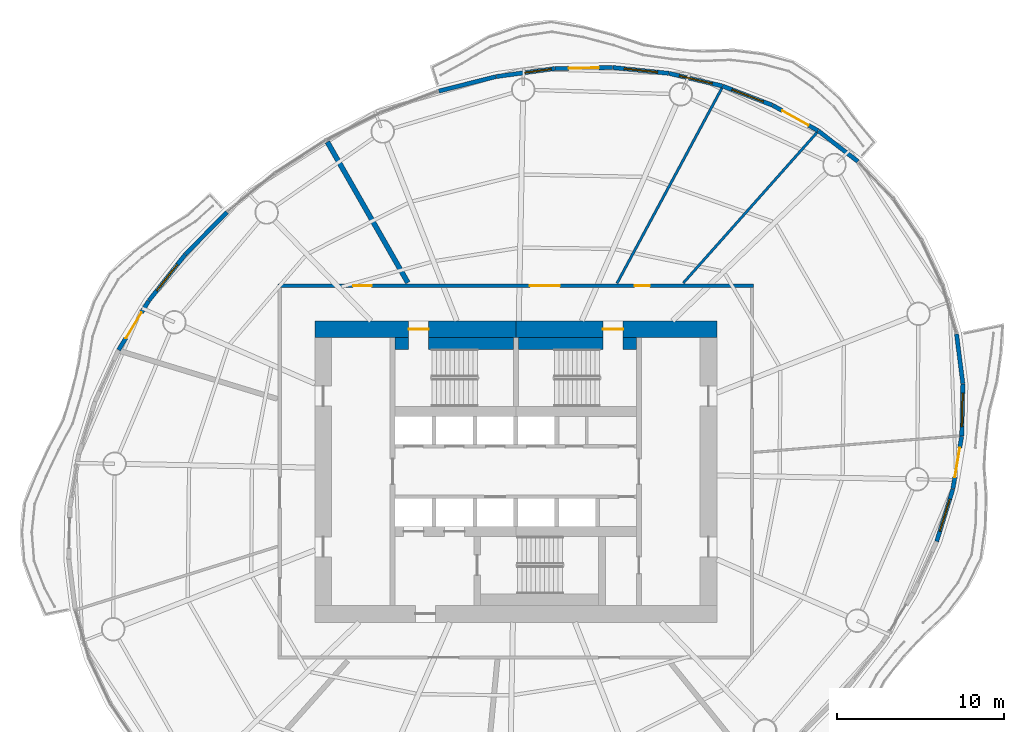
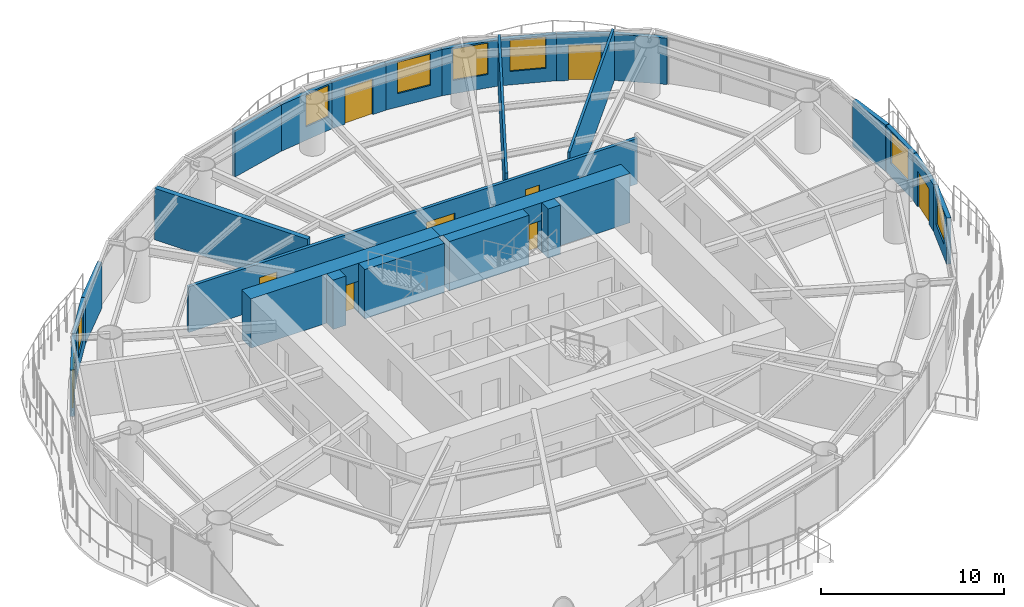
# One storey, part 10 of 15: 25 walls, 9 doors, 7 windows, 16 openings.
"""IFC4 building model written with IfcOpenShell, lengths in metres."""

from ifc_helpers import new_model, si_unit, direction, frame, frame_2d, origin, place, context, subcontext, project, spatial, rectangle, extrude, material, layer, layer_set, type_object, element, fill, save


model = new_model("IFC4")

# Units and contexts
model_context = context("Model", 3, precision=1e-05, world=origin(), true_north=direction((0.0, 1.0)))
body_context = subcontext(model_context, "Body", "Model", "MODEL_VIEW")
ifc_project = project(units=[si_unit("LENGTHUNIT", "METRE"), si_unit("AREAUNIT", "SQUARE_METRE"), si_unit("VOLUMEUNIT", "CUBIC_METRE"), si_unit("PLANEANGLEUNIT", "RADIAN"), si_unit("MASSUNIT", "GRAM", prefix="KILO")], contexts=[model_context])

# Site, building, storey
site_placement = place(None, origin())
site = spatial("IfcSite", under=ifc_project, at=site_placement, CompositionType="ELEMENT")
building_placement = place(site_placement, origin())
building = spatial("IfcBuilding", under=site, at=building_placement, Name="Vermilion Reach Broadcast Tower", CompositionType="ELEMENT")
storey_placement = place(building_placement, frame((0.0, 0.0, 154.199951171875)))
storey = spatial("IfcBuildingStorey", under=building, at=storey_placement, Name="L36", CompositionType="ELEMENT", Elevation=154.199951171875)

# Wall, opening, door
ifc_material_1 = material(Name="Concrete C70", Category="concrete")
ifc_layer_1 = layer(ifc_material_1, 1.0)
ifc_layer_set_1 = layer_set([ifc_layer_1], Name="Core outer wall 1000 mm Concrete C70")
wall_type_1 = type_object("IfcWallType", Name="Core outer wall 1000 mm Concrete C70", PredefinedType="SHEAR", material=ifc_layer_set_1)
wall_1_placement = place(storey_placement, frame((6.0, 8.5, 0.0), z_axis=(0.0, 0.0, 1.0), x_axis=(-1.0, 0.0, 0.0)))
wall_1 = element("IfcWall", 1, at=wall_1_placement, inside=storey, type_object=wall_type_1, Name="L36 core wall onE", PredefinedType="SHEAR", context=body_context, shape_type="SweptSolid", body=[
    extrude(rectangle(XDim=12.0, YDim=1.0, at=frame_2d((6.0, 0.0))), origin(), (0.0, 0.0, 1.0), 3.300048828125),
])
opening_1_placement = place(wall_1_placement, frame((5.60009765625, 0.0, 0.0)))
opening_1 = element("IfcOpeningElement", 2, at=opening_1_placement, cuts=wall_1, Name="Opening D01", PredefinedType="OPENING", context=body_context, shape_type="SweptSolid", body=[
    extrude(rectangle(XDim=1.199951171875, YDim=2.10009765625, at=frame_2d((0.60009765625, 1.050048828125))), frame((0.0, 0.510009765625, 0.0), z_axis=(0.0, -1.0, 0.0), x_axis=(1.0, 0.0, 0.0)), (0.0, 0.0, 1.0), 1.02001953125),
])
ifc_material_2 = material(Name="Painted steel fire door", Category="steel")
door_type_1 = type_object("IfcDoorType", Name="Stair door 1200 x 2100", OperationType="DOUBLE_DOOR_SINGLE_SWING", PredefinedType="NOTDEFINED", material=ifc_material_2)
door_1_placement = place(opening_1_placement, origin())
door_1 = element("IfcDoor", 3, at=door_1_placement, inside=storey, type_object=door_type_1, Name="L36 stair door ST2", OperationType="DOUBLE_DOOR_SINGLE_SWING", OverallHeight=2.10009765625, OverallWidth=1.199951171875, PredefinedType="NOTDEFINED", context=body_context, shape_type="SweptSolid", body=[
    extrude(rectangle(XDim=1.199951171875, YDim=2.10009765625, at=frame_2d((0.60009765625, 1.050048828125))), frame((0.0, 0.02490234375, 0.0), z_axis=(0.0, -1.0, 0.0), x_axis=(1.0, 0.0, 0.0)), (0.0, 0.0, 1.0), 0.050048828125),
])
fill(opening_1, door_1)

wall_2_placement = place(storey_placement, frame((-6.0, 8.5, 0.0), z_axis=(0.0, 0.0, 1.0), x_axis=(-1.0, 0.0, 0.0)))
wall_2 = element("IfcWall", 4, at=wall_2_placement, inside=storey, type_object=wall_type_1, Name="L36 core wall onW", PredefinedType="SHEAR", context=body_context, shape_type="SweptSolid", body=[
    extrude(rectangle(XDim=12.0, YDim=1.0, at=frame_2d((6.0, 0.0))), origin(), (0.0, 0.0, 1.0), 3.300048828125),
])
opening_2_placement = place(wall_2_placement, frame((5.199951171875, 0.0, 0.0)))
opening_2 = element("IfcOpeningElement", 5, at=opening_2_placement, cuts=wall_2, Name="Opening D01", PredefinedType="OPENING", context=body_context, shape_type="SweptSolid", body=[
    extrude(rectangle(XDim=1.199951171875, YDim=2.10009765625, at=frame_2d((0.60009765625, 1.050048828125))), frame((0.0, 0.510009765625, 0.0), z_axis=(0.0, -1.0, 0.0), x_axis=(1.0, 0.0, 0.0)), (0.0, 0.0, 1.0), 1.02001953125),
])
door_2_placement = place(opening_2_placement, origin())
door_2 = element("IfcDoor", 6, at=door_2_placement, inside=storey, type_object=door_type_1, Name="L36 stair door ST1", OperationType="DOUBLE_DOOR_SINGLE_SWING", OverallHeight=2.10009765625, OverallWidth=1.199951171875, PredefinedType="NOTDEFINED", context=body_context, shape_type="SweptSolid", body=[
    extrude(rectangle(XDim=1.199951171875, YDim=2.10009765625, at=frame_2d((0.60009765625, 1.050048828125))), frame((0.0, 0.02490234375, 0.0), z_axis=(0.0, -1.0, 0.0), x_axis=(1.0, 0.0, 0.0)), (0.0, 0.0, 1.0), 0.050048828125),
])
fill(opening_2, door_2)

# Walls
ifc_material_3 = material(Name="Concrete C70", Category="concrete")
ifc_layer_2 = layer(ifc_material_3, 0.699951171875)
ifc_layer_set_2 = layer_set([ifc_layer_2], Name="Core stair wall 700 mm Concrete C70")
wall_type_2 = type_object("IfcWallType", Name="Core stair wall 700 mm Concrete C70", PredefinedType="SHEAR", material=ifc_layer_set_2)
wall_3_placement = place(storey_placement, frame((-13.199951171875, 7.64990234375, 0.0), z_axis=(0.0, 0.0, 1.0), x_axis=(1.0, 0.0, 0.0)))
element("IfcWall", 7, at=wall_3_placement, inside=storey, type_object=wall_type_2, Name="L36 core wall l1a", PredefinedType="SHEAR", context=body_context, shape_type="SweptSolid", body=[
    extrude(rectangle(XDim=0.800048828125, YDim=0.699951171875, at=frame_2d((0.39990234375, 0.0))), origin(), (0.0, 0.0, 1.0), 3.300048828125),
])
for number, where, z_axis, x_axis, name in (
    (8, (-11.199951171875, 7.64990234375, 0.0), (0.0, 0.0, 1.0), (1.0, 0.0, 0.0), "L36 core wall l1b"),
    (9, (-5.85009765625, 7.64990234375, 0.0), (0.0, 0.0, 1.0), (1.0, 0.0, 0.0), "L36 core wall l2a"),
):
    element("IfcWall", number, at=place(storey_placement, frame(where, z_axis=z_axis, x_axis=x_axis)), inside=storey, type_object=wall_type_2, Name=name, PredefinedType="SHEAR", context=body_context, shape_type="SweptSolid", body=[
        extrude(rectangle(XDim=5.050048828125, YDim=0.699951171875, at=frame_2d((2.52490234375, 0.0))), origin(), (0.0, 0.0, 1.0), 3.300048828125),
    ])
wall_4_placement = place(storey_placement, frame((0.39990234375, 7.64990234375, 0.0), z_axis=(0.0, 0.0, 1.0), x_axis=(1.0, 0.0, 0.0)))
element("IfcWall", 10, at=wall_4_placement, inside=storey, type_object=wall_type_2, Name="L36 core wall l2b", PredefinedType="SHEAR", context=body_context, shape_type="SweptSolid", body=[
    extrude(rectangle(XDim=0.800048828125, YDim=0.699951171875, at=frame_2d((0.39990234375, 0.0))), origin(), (0.0, 0.0, 1.0), 3.300048828125),
])
ifc_material_4 = material(Name="Lightweight concrete block, plastered", Category="concrete")
ifc_layer_3 = layer(ifc_material_4, 0.14990234375)
ifc_layer_set_3 = layer_set([ifc_layer_3], Name="Partition 150 lightweight block")
wall_type_3 = type_object("IfcWallType", Name="Partition 150 lightweight block", PredefinedType="PARTITIONING", material=ifc_layer_set_3)
wall_5_placement = place(storey_placement, frame((11.9833984375, 20.24267578125, 0.0), z_axis=(0.0, 0.0, 1.0), x_axis=(-0.664145873582, -0.747603008691, 0.0)))
element("IfcWall", 11, at=wall_5_placement, inside=storey, type_object=wall_type_3, Name="Partition 36.01", PredefinedType="PARTITIONING", context=body_context, shape_type="SweptSolid", body=[
    extrude(rectangle(XDim=12.029052734375, YDim=0.14990234375, at=frame_2d((6.0146484375, 0.0))), origin(), (0.0, 0.0, 1.0), 3.449951171875),
])
wall_6_placement = place(storey_placement, frame((6.30712890625, 22.89794921875, 0.0), z_axis=(0.0, 0.0, 1.0), x_axis=(-0.473431131889, -0.88083083697, 0.0)))
element("IfcWall", 12, at=wall_6_placement, inside=storey, type_object=wall_type_3, Name="Partition 36.02", PredefinedType="PARTITIONING", context=body_context, shape_type="SweptSolid", body=[
    extrude(rectangle(XDim=13.240234375, YDim=0.14990234375, at=frame_2d((6.6201171875, 0.0))), origin(), (0.0, 0.0, 1.0), 3.449951171875),
])
ifc_material_5 = material(Name="Double-leaf plasterboard on isolated steel stud", Category="steel")
ifc_layer_4 = layer(ifc_material_5, 0.300048828125)
ifc_layer_set_4 = layer_set([ifc_layer_4], Name="Partition 300 acoustic double leaf")
wall_type_4 = type_object("IfcWallType", Name="Partition 300 acoustic double leaf", PredefinedType="PARTITIONING", material=ifc_layer_set_4)
wall_7_placement = place(storey_placement, frame((-17.2529296875, 19.680419921875, 0.0), z_axis=(0.0, 0.0, 1.0), x_axis=(0.496369717396, -0.868111227696, 0.0)))
element("IfcWall", 13, at=wall_7_placement, inside=storey, type_object=wall_type_4, Name="Partition 36.03", PredefinedType="PARTITIONING", context=body_context, shape_type="SweptSolid", body=[
    extrude(rectangle(XDim=9.68310546875, YDim=0.300048828125, at=frame_2d((4.841552734375, 0.0))), origin(), (0.0, 0.0, 1.0), 3.449951171875),
])
ifc_material_6 = material(Name="Terracotta rainscreen cladding", Category="masonry")
ifc_layer_5 = layer(ifc_material_6, 0.25)
ifc_layer_set_5 = layer_set([ifc_layer_5], Name="Terracotta rainscreen wall 250")
wall_type_5 = type_object("IfcWallType", Name="Terracotta rainscreen wall 250", PredefinedType="SOLIDWALL", material=ifc_layer_set_5)
wall_8_placement = place(storey_placement, frame((14.42138671875, 18.513427734375, 0.0), z_axis=(0.0, 0.0, 1.0), x_axis=(-0.790822117726, 0.612046058818, 0.0)))
element("IfcWall", 14, at=wall_8_placement, inside=storey, type_object=wall_type_5, Name="External wall L36 02", PredefinedType="SOLIDWALL", context=body_context, shape_type="SweptSolid", body=[
    extrude(rectangle(XDim=2.982421875, YDim=0.25, at=frame_2d((1.4912109375, 0.0))), origin(), (0.0, 0.0, 1.0), 3.10009765625),
])

# Wall, opening, door
wall_9_placement = place(storey_placement, frame((12.04052734375, 20.353515625, 0.0), z_axis=(0.0, 0.0, 1.0), x_axis=(-0.872921725824, 0.487860287976, 0.0)))
wall_9 = element("IfcWall", 15, at=wall_9_placement, inside=storey, type_object=wall_type_5, Name="External wall L36 03", PredefinedType="SOLIDWALL", context=body_context, shape_type="SweptSolid", body=[
    extrude(rectangle(XDim=3.09228515625, YDim=0.25, at=frame_2d((1.546142578125, 0.0))), origin(), (0.0, 0.0, 1.0), 3.10009765625),
])
opening_3_placement = place(wall_9_placement, frame((0.64599609375, 0.0, 0.0)))
opening_3 = element("IfcOpeningElement", 16, at=opening_3_placement, cuts=wall_9, Name="Opening D70", PredefinedType="OPENING", context=body_context, shape_type="SweptSolid", body=[
    extrude(rectangle(XDim=1.800048828125, YDim=2.39990234375, at=frame_2d((0.89990234375, 1.199951171875))), frame((0.0, 0.135009765625, 0.0), z_axis=(0.0, -1.0, 0.0), x_axis=(1.0, 0.0, 0.0)), (0.0, 0.0, 1.0), 0.27001953125),
])
ifc_material_7 = material(Name="Low-e laminated clear glass in aluminium frame", Category="aluminium")
door_type_2 = type_object("IfcDoorType", Name="Balcony sliding door 1800 x 2400", OperationType="DOUBLE_DOOR_SLIDING", PredefinedType="DOOR", material=ifc_material_7)
door_3_placement = place(opening_3_placement, origin())
door_3 = element("IfcDoor", 17, at=door_3_placement, inside=storey, type_object=door_type_2, Name="Balcony door L36 run 01", OperationType="DOUBLE_DOOR_SLIDING", OverallHeight=2.39990234375, OverallWidth=1.800048828125, PredefinedType="DOOR", context=body_context, shape_type="SweptSolid", body=[
    extrude(rectangle(XDim=1.800048828125, YDim=2.39990234375, at=frame_2d((0.89990234375, 1.199951171875))), frame((0.0, 0.02490234375, 0.0), z_axis=(0.0, -1.0, 0.0), x_axis=(1.0, 0.0, 0.0)), (0.0, 0.0, 1.0), 0.050048828125),
])
fill(opening_3, door_3)

# Wall, opening, window
wall_10_placement = place(storey_placement, frame((9.31787109375, 21.873046875, 0.0), z_axis=(0.0, 0.0, 1.0), x_axis=(-0.933292072191, 0.359118236777, 0.0)))
wall_10 = element("IfcWall", 18, at=wall_10_placement, inside=storey, type_object=wall_type_5, Name="External wall L36 04", PredefinedType="SOLIDWALL", context=body_context, shape_type="SweptSolid", body=[
    extrude(rectangle(XDim=3.174072265625, YDim=0.25, at=frame_2d((1.5869140625, 0.0))), origin(), (0.0, 0.0, 1.0), 3.10009765625),
])
opening_4_placement = place(wall_10_placement, frame((0.587158203125, 0.0, 0.89990234375)))
opening_4 = element("IfcOpeningElement", 19, at=opening_4_placement, cuts=wall_10, Name="Opening W03", PredefinedType="OPENING", context=body_context, shape_type="SweptSolid", body=[
    extrude(rectangle(XDim=2.0, YDim=2.10009765625, at=frame_2d((1.0, 1.050048828125))), frame((0.0, 0.135009765625, 0.0), z_axis=(0.0, -1.0, 0.0), x_axis=(1.0, 0.0, 0.0)), (0.0, 0.0, 1.0), 0.27001953125),
])
ifc_material_8 = material(Name="Low-e laminated clear glass in aluminium frame", Category="aluminium")
window_type_1 = type_object("IfcWindowType", Name="Punched window 2000 x 2100 sill 900", PartitioningType="SINGLE_PANEL", PredefinedType="WINDOW", material=ifc_material_8)
window_1_placement = place(opening_4_placement, origin())
window_1 = element("IfcWindow", 20, at=window_1_placement, inside=storey, type_object=window_type_1, Name="Window L36 04", OverallHeight=2.10009765625, OverallWidth=2.0, PartitioningType="SINGLE_PANEL", PredefinedType="WINDOW", context=body_context, shape_type="SweptSolid", body=[
    extrude(rectangle(XDim=2.0, YDim=2.10009765625, at=frame_2d((1.0, 1.050048828125))), frame((0.0, 0.030029296875, 0.0), z_axis=(0.0, -1.0, 0.0), x_axis=(1.0, 0.0, 0.0)), (0.0, 0.0, 1.0), 0.06005859375),
])
fill(opening_4, window_1)

wall_11_placement = place(storey_placement, frame((6.331787109375, 23.020263671875, 0.0), z_axis=(0.0, 0.0, 1.0), x_axis=(-0.973203796477, 0.229944276993, 0.0)))
wall_11 = element("IfcWall", 21, at=wall_11_placement, inside=storey, type_object=wall_type_5, Name="External wall L36 05", PredefinedType="SOLIDWALL", context=body_context, shape_type="SweptSolid", body=[
    extrude(rectangle(XDim=3.2626953125, YDim=0.25, at=frame_2d((1.63134765625, 0.0))), origin(), (0.0, 0.0, 1.0), 3.10009765625),
])
opening_5_placement = place(wall_11_placement, frame((0.63134765625, 0.0, 0.89990234375)))
opening_5 = element("IfcOpeningElement", 22, at=opening_5_placement, cuts=wall_11, Name="Opening W03", PredefinedType="OPENING", context=body_context, shape_type="SweptSolid", body=[
    extrude(rectangle(XDim=2.0, YDim=2.10009765625, at=frame_2d((1.0, 1.050048828125))), frame((0.0, 0.135009765625, 0.0), z_axis=(0.0, -1.0, 0.0), x_axis=(1.0, 0.0, 0.0)), (0.0, 0.0, 1.0), 0.27001953125),
])
window_2_placement = place(opening_5_placement, origin())
window_2 = element("IfcWindow", 23, at=window_2_placement, inside=storey, type_object=window_type_1, Name="Window L36 05", OverallHeight=2.10009765625, OverallWidth=2.0, PartitioningType="SINGLE_PANEL", PredefinedType="WINDOW", context=body_context, shape_type="SweptSolid", body=[
    extrude(rectangle(XDim=2.0, YDim=2.10009765625, at=frame_2d((1.0, 1.050048828125))), frame((0.0, 0.030029296875, 0.0), z_axis=(0.0, -1.0, 0.0), x_axis=(1.0, 0.0, 0.0)), (0.0, 0.0, 1.0), 0.06005859375),
])
fill(opening_5, window_2)

wall_12_placement = place(storey_placement, frame((3.1328125, 23.774658203125, 0.0), z_axis=(0.0, 0.0, 1.0), x_axis=(-0.994629661269, 0.103498004442, 0.0)))
wall_12 = element("IfcWall", 24, at=wall_12_placement, inside=storey, type_object=wall_type_5, Name="External wall L36 06", PredefinedType="SOLIDWALL", context=body_context, shape_type="SweptSolid", body=[
    extrude(rectangle(XDim=3.35205078125, YDim=0.25, at=frame_2d((1.676025390625, 0.0))), origin(), (0.0, 0.0, 1.0), 3.10009765625),
])
opening_6_placement = place(wall_12_placement, frame((0.676025390625, 0.0, 0.89990234375)))
opening_6 = element("IfcOpeningElement", 25, at=opening_6_placement, cuts=wall_12, Name="Opening W03", PredefinedType="OPENING", context=body_context, shape_type="SweptSolid", body=[
    extrude(rectangle(XDim=2.0, YDim=2.10009765625, at=frame_2d((1.0, 1.050048828125))), frame((0.0, 0.135009765625, 0.0), z_axis=(0.0, -1.0, 0.0), x_axis=(1.0, 0.0, 0.0)), (0.0, 0.0, 1.0), 0.27001953125),
])
window_3_placement = place(opening_6_placement, origin())
window_3 = element("IfcWindow", 26, at=window_3_placement, inside=storey, type_object=window_type_1, Name="Window L36 06", OverallHeight=2.10009765625, OverallWidth=2.0, PartitioningType="SINGLE_PANEL", PredefinedType="WINDOW", context=body_context, shape_type="SweptSolid", body=[
    extrude(rectangle(XDim=2.0, YDim=2.10009765625, at=frame_2d((1.0, 1.050048828125))), frame((0.0, 0.030029296875, 0.0), z_axis=(0.0, -1.0, 0.0), x_axis=(1.0, 0.0, 0.0)), (0.0, 0.0, 1.0), 0.06005859375),
])
fill(opening_6, window_3)

# Wall, opening, door
wall_13_placement = place(storey_placement, frame((-0.224609375, 24.12255859375, 0.0), z_axis=(0.0, 0.0, 1.0), x_axis=(-0.999829330631, -0.018474566553, 0.0)))
wall_13 = element("IfcWall", 27, at=wall_13_placement, inside=storey, type_object=wall_type_5, Name="External wall L36 07", PredefinedType="SOLIDWALL", context=body_context, shape_type="SweptSolid", body=[
    extrude(rectangle(XDim=3.435791015625, YDim=0.25, at=frame_2d((1.7177734375, 0.0))), origin(), (0.0, 0.0, 1.0), 3.10009765625),
])
opening_7_placement = place(wall_13_placement, frame((0.818115234375, 0.0, 0.0)))
opening_7 = element("IfcOpeningElement", 28, at=opening_7_placement, cuts=wall_13, Name="Opening D70", PredefinedType="OPENING", context=body_context, shape_type="SweptSolid", body=[
    extrude(rectangle(XDim=1.800048828125, YDim=2.39990234375, at=frame_2d((0.89990234375, 1.199951171875))), frame((0.0, 0.135009765625, 0.0), z_axis=(0.0, -1.0, 0.0), x_axis=(1.0, 0.0, 0.0)), (0.0, 0.0, 1.0), 0.27001953125),
])
door_4_placement = place(opening_7_placement, origin())
door_4 = element("IfcDoor", 29, at=door_4_placement, inside=storey, type_object=door_type_2, Name="Balcony door L36 run 02", OperationType="DOUBLE_DOOR_SLIDING", OverallHeight=2.39990234375, OverallWidth=1.800048828125, PredefinedType="DOOR", context=body_context, shape_type="SweptSolid", body=[
    extrude(rectangle(XDim=1.800048828125, YDim=2.39990234375, at=frame_2d((0.89990234375, 1.199951171875))), frame((0.0, 0.02490234375, 0.0), z_axis=(0.0, -1.0, 0.0), x_axis=(1.0, 0.0, 0.0)), (0.0, 0.0, 1.0), 0.050048828125),
])
fill(opening_7, door_4)

# Wall, opening, window
wall_14_placement = place(storey_placement, frame((-3.682373046875, 24.057373046875, 0.0), z_axis=(0.0, 0.0, 1.0), x_axis=(-0.990850899639, -0.134961085818, 0.0)))
wall_14 = element("IfcWall", 30, at=wall_14_placement, inside=storey, type_object=wall_type_5, Name="External wall L36 08", PredefinedType="SOLIDWALL", context=body_context, shape_type="SweptSolid", body=[
    extrude(rectangle(XDim=3.509521484375, YDim=0.25, at=frame_2d((1.7548828125, 0.0))), origin(), (0.0, 0.0, 1.0), 3.10009765625),
])
opening_8_placement = place(wall_14_placement, frame((0.205078125, 0.0, 0.89990234375)))
opening_8 = element("IfcOpeningElement", 31, at=opening_8_placement, cuts=wall_14, Name="Opening W04", PredefinedType="OPENING", context=body_context, shape_type="SweptSolid", body=[
    extrude(rectangle(XDim=1.60009765625, YDim=2.10009765625, at=frame_2d((0.800048828125, 1.050048828125))), frame((0.0, 0.135009765625, 0.0), z_axis=(0.0, -1.0, 0.0), x_axis=(1.0, 0.0, 0.0)), (0.0, 0.0, 1.0), 0.27001953125),
])
ifc_material_9 = material(Name="Low-e laminated clear glass in aluminium frame", Category="aluminium")
window_type_2 = type_object("IfcWindowType", Name="Punched window 1600 x 2100 sill 900", PartitioningType="SINGLE_PANEL", PredefinedType="WINDOW", material=ifc_material_9)
window_4_placement = place(opening_8_placement, origin())
window_4 = element("IfcWindow", 32, at=window_4_placement, inside=storey, type_object=window_type_2, Name="Window L36 08", OverallHeight=2.10009765625, OverallWidth=1.60009765625, PartitioningType="SINGLE_PANEL", PredefinedType="WINDOW", context=body_context, shape_type="SweptSolid", body=[
    extrude(rectangle(XDim=1.60009765625, YDim=2.10009765625, at=frame_2d((0.800048828125, 1.050048828125))), frame((0.0, 0.030029296875, 0.0), z_axis=(0.0, -1.0, 0.0), x_axis=(1.0, 0.0, 0.0)), (0.0, 0.0, 1.0), 0.06005859375),
])
fill(opening_8, window_4)

# Walls
wall_15_placement = place(storey_placement, frame((-7.181396484375, 23.57958984375, 0.0), z_axis=(0.0, 0.0, 1.0), x_axis=(-0.969375678266, -0.245582561242, 0.0)))
element("IfcWall", 33, at=wall_15_placement, inside=storey, type_object=wall_type_5, Name="External wall L36 09", PredefinedType="SOLIDWALL", context=body_context, shape_type="SweptSolid", body=[
    extrude(rectangle(XDim=3.524169921875, YDim=0.25, at=frame_2d((1.76220703125, 0.0))), origin(), (0.0, 0.0, 1.0), 3.10009765625),
])
wall_16_placement = place(storey_placement, frame((-23.2431640625, 15.48388671875, 0.0), z_axis=(0.0, 0.0, 1.0), x_axis=(-0.703320991983, -0.710872409253, 0.0)))
element("IfcWall", 34, at=wall_16_placement, inside=storey, type_object=wall_type_5, Name="External wall L36 14", PredefinedType="SOLIDWALL", context=body_context, shape_type="SweptSolid", body=[
    extrude(rectangle(XDim=3.52392578125, YDim=0.25, at=frame_2d((1.761962890625, 0.0))), origin(), (0.0, 0.0, 1.0), 3.10009765625),
])

# Wall, opening, window
wall_17_placement = place(storey_placement, frame((-25.736328125, 12.962158203125, 0.0), z_axis=(0.0, 0.0, 1.0), x_axis=(-0.618917748118, -0.785455804654, 0.0)))
wall_17 = element("IfcWall", 35, at=wall_17_placement, inside=storey, type_object=wall_type_5, Name="External wall L36 15", PredefinedType="SOLIDWALL", context=body_context, shape_type="SweptSolid", body=[
    extrude(rectangle(XDim=3.509521484375, YDim=0.25, at=frame_2d((1.7548828125, 0.0))), origin(), (0.0, 0.0, 1.0), 3.10009765625),
])
opening_9_placement = place(wall_17_placement, frame((0.754638671875, 0.0, 0.89990234375)))
opening_9 = element("IfcOpeningElement", 36, at=opening_9_placement, cuts=wall_17, Name="Opening W03", PredefinedType="OPENING", context=body_context, shape_type="SweptSolid", body=[
    extrude(rectangle(XDim=2.0, YDim=2.10009765625, at=frame_2d((1.0, 1.050048828125))), frame((0.0, 0.135009765625, 0.0), z_axis=(0.0, -1.0, 0.0), x_axis=(1.0, 0.0, 0.0)), (0.0, 0.0, 1.0), 0.27001953125),
])
window_5_placement = place(opening_9_placement, origin())
window_5 = element("IfcWindow", 37, at=window_5_placement, inside=storey, type_object=window_type_1, Name="Window L36 15", OverallHeight=2.10009765625, OverallWidth=2.0, PartitioningType="SINGLE_PANEL", PredefinedType="WINDOW", context=body_context, shape_type="SweptSolid", body=[
    extrude(rectangle(XDim=2.0, YDim=2.10009765625, at=frame_2d((1.0, 1.050048828125))), frame((0.0, 0.030029296875, 0.0), z_axis=(0.0, -1.0, 0.0), x_axis=(1.0, 0.0, 0.0)), (0.0, 0.0, 1.0), 0.06005859375),
])
fill(opening_9, window_5)

# Wall, opening, door
wall_18_placement = place(storey_placement, frame((-27.92138671875, 10.18701171875, 0.0), z_axis=(0.0, 0.0, 1.0), x_axis=(-0.52303850946, -0.852309050534, 0.0)))
wall_18 = element("IfcWall", 38, at=wall_18_placement, inside=storey, type_object=wall_type_5, Name="External wall L36 16", PredefinedType="SOLIDWALL", context=body_context, shape_type="SweptSolid", body=[
    extrude(rectangle(XDim=3.43603515625, YDim=0.25, at=frame_2d((1.718017578125, 0.0))), origin(), (0.0, 0.0, 1.0), 3.10009765625),
])
opening_10_placement = place(wall_18_placement, frame((0.818115234375, 0.0, 0.0)))
opening_10 = element("IfcOpeningElement", 39, at=opening_10_placement, cuts=wall_18, Name="Opening D70", PredefinedType="OPENING", context=body_context, shape_type="SweptSolid", body=[
    extrude(rectangle(XDim=1.800048828125, YDim=2.39990234375, at=frame_2d((0.89990234375, 1.199951171875))), frame((0.0, 0.135009765625, 0.0), z_axis=(0.0, -1.0, 0.0), x_axis=(1.0, 0.0, 0.0)), (0.0, 0.0, 1.0), 0.27001953125),
])
door_5_placement = place(opening_10_placement, origin())
door_5 = element("IfcDoor", 40, at=door_5_placement, inside=storey, type_object=door_type_2, Name="Balcony door L36 run 04", OperationType="DOUBLE_DOOR_SLIDING", OverallHeight=2.39990234375, OverallWidth=1.800048828125, PredefinedType="DOOR", context=body_context, shape_type="SweptSolid", body=[
    extrude(rectangle(XDim=1.800048828125, YDim=2.39990234375, at=frame_2d((0.89990234375, 1.199951171875))), frame((0.0, 0.02490234375, 0.0), z_axis=(0.0, -1.0, 0.0), x_axis=(1.0, 0.0, 0.0)), (0.0, 0.0, 1.0), 0.050048828125),
])
fill(opening_10, door_5)

# Wall, opening, window
wall_19_placement = place(storey_placement, frame((19.130126953125, -4.166259765625, 0.0), z_axis=(0.0, 0.0, 1.0), x_axis=(0.295410582075, 0.955370393093, 0.0)))
wall_19 = element("IfcWall", 41, at=wall_19_placement, inside=storey, type_object=wall_type_5, Name="External wall L36 42", PredefinedType="SOLIDWALL", context=body_context, shape_type="SweptSolid", body=[
    extrude(rectangle(XDim=3.2626953125, YDim=0.25, at=frame_2d((1.63134765625, 0.0))), origin(), (0.0, 0.0, 1.0), 3.10009765625),
])
opening_11_placement = place(wall_19_placement, frame((0.63134765625, 0.0, 0.89990234375)))
opening_11 = element("IfcOpeningElement", 42, at=opening_11_placement, cuts=wall_19, Name="Opening W03", PredefinedType="OPENING", context=body_context, shape_type="SweptSolid", body=[
    extrude(rectangle(XDim=2.0, YDim=2.10009765625, at=frame_2d((1.0, 1.050048828125))), frame((0.0, 0.135009765625, 0.0), z_axis=(0.0, -1.0, 0.0), x_axis=(1.0, 0.0, 0.0)), (0.0, 0.0, 1.0), 0.27001953125),
])
window_6_placement = place(opening_11_placement, origin())
window_6 = element("IfcWindow", 43, at=window_6_placement, inside=storey, type_object=window_type_1, Name="Window L36 42", OverallHeight=2.10009765625, OverallWidth=2.0, PartitioningType="SINGLE_PANEL", PredefinedType="WINDOW", context=body_context, shape_type="SweptSolid", body=[
    extrude(rectangle(XDim=2.0, YDim=2.10009765625, at=frame_2d((1.0, 1.050048828125))), frame((0.0, 0.030029296875, 0.0), z_axis=(0.0, -1.0, 0.0), x_axis=(1.0, 0.0, 0.0)), (0.0, 0.0, 1.0), 0.06005859375),
])
fill(opening_11, window_6)

# Wall, opening, door
wall_20_placement = place(storey_placement, frame((20.099853515625, -1.02490234375, 0.0), z_axis=(0.0, 0.0, 1.0), x_axis=(0.163912512181, 0.986474879736, 0.0)))
wall_20 = element("IfcWall", 44, at=wall_20_placement, inside=storey, type_object=wall_type_5, Name="External wall L36 43", PredefinedType="SOLIDWALL", context=body_context, shape_type="SweptSolid", body=[
    extrude(rectangle(XDim=3.174072265625, YDim=0.25, at=frame_2d((1.5869140625, 0.0))), origin(), (0.0, 0.0, 1.0), 3.10009765625),
])
opening_12_placement = place(wall_20_placement, frame((0.68701171875, 0.0, 0.0)))
opening_12 = element("IfcOpeningElement", 45, at=opening_12_placement, cuts=wall_20, Name="Opening D70", PredefinedType="OPENING", context=body_context, shape_type="SweptSolid", body=[
    extrude(rectangle(XDim=1.800048828125, YDim=2.39990234375, at=frame_2d((0.89990234375, 1.199951171875))), frame((0.0, 0.135009765625, 0.0), z_axis=(0.0, -1.0, 0.0), x_axis=(1.0, 0.0, 0.0)), (0.0, 0.0, 1.0), 0.27001953125),
])
door_6_placement = place(opening_12_placement, origin())
door_6 = element("IfcDoor", 46, at=door_6_placement, inside=storey, type_object=door_type_2, Name="Balcony door L36 run 11", OperationType="DOUBLE_DOOR_SLIDING", OverallHeight=2.39990234375, OverallWidth=1.800048828125, PredefinedType="DOOR", context=body_context, shape_type="SweptSolid", body=[
    extrude(rectangle(XDim=1.800048828125, YDim=2.39990234375, at=frame_2d((0.89990234375, 1.199951171875))), frame((0.0, 0.02490234375, 0.0), z_axis=(0.0, -1.0, 0.0), x_axis=(1.0, 0.0, 0.0)), (0.0, 0.0, 1.0), 0.050048828125),
])
fill(opening_12, door_6)

# Wall, opening, window
wall_21_placement = place(storey_placement, frame((20.62255859375, 2.1318359375, 0.0), z_axis=(0.0, 0.0, 1.0), x_axis=(0.022342995581, 0.999750364115, 0.0)))
wall_21 = element("IfcWall", 47, at=wall_21_placement, inside=storey, type_object=wall_type_5, Name="External wall L36 44", PredefinedType="SOLIDWALL", context=body_context, shape_type="SweptSolid", body=[
    extrude(rectangle(XDim=3.09228515625, YDim=0.25, at=frame_2d((1.546142578125, 0.0))), origin(), (0.0, 0.0, 1.0), 3.10009765625),
])
opening_13_placement = place(wall_21_placement, frame((0.546142578125, 0.0, 0.89990234375)))
opening_13 = element("IfcOpeningElement", 48, at=opening_13_placement, cuts=wall_21, Name="Opening W03", PredefinedType="OPENING", context=body_context, shape_type="SweptSolid", body=[
    extrude(rectangle(XDim=2.0, YDim=2.10009765625, at=frame_2d((1.0, 1.050048828125))), frame((0.0, 0.135009765625, 0.0), z_axis=(0.0, -1.0, 0.0), x_axis=(1.0, 0.0, 0.0)), (0.0, 0.0, 1.0), 0.27001953125),
])
window_7_placement = place(opening_13_placement, origin())
window_7 = element("IfcWindow", 49, at=window_7_placement, inside=storey, type_object=window_type_1, Name="Window L36 44", OverallHeight=2.10009765625, OverallWidth=2.0, PartitioningType="SINGLE_PANEL", PredefinedType="WINDOW", context=body_context, shape_type="SweptSolid", body=[
    extrude(rectangle(XDim=2.0, YDim=2.10009765625, at=frame_2d((1.0, 1.050048828125))), frame((0.0, 0.030029296875, 0.0), z_axis=(0.0, -1.0, 0.0), x_axis=(1.0, 0.0, 0.0)), (0.0, 0.0, 1.0), 0.06005859375),
])
fill(opening_13, window_7)

# Wall
wall_22_placement = place(storey_placement, frame((20.690185546875, 5.25, 0.0), z_axis=(0.0, 0.0, 1.0), x_axis=(-0.1263011447, 0.991991945959, 0.0)))
element("IfcWall", 50, at=wall_22_placement, inside=storey, type_object=wall_type_5, Name="External wall L36 45", PredefinedType="SOLIDWALL", context=body_context, shape_type="SweptSolid", body=[
    extrude(rectangle(XDim=2.982666015625, YDim=0.25, at=frame_2d((1.4912109375, 0.0))), origin(), (0.0, 0.0, 1.0), 3.10009765625),
])

# Wall, openings, doors
ifc_material_10 = material(Name="Fire-rated gypsum board partition")
ifc_layer_6 = layer(ifc_material_10, 0.199951171875)
ifc_layer_set_6 = layer_set([ifc_layer_6], Name="Under girder: Corridor wall 200 fire-rated")
wall_type_6 = type_object("IfcWallType", Name="Under girder: Corridor wall 200 fire-rated", PredefinedType="PARTITIONING", material=ifc_layer_set_6)
wall_23_placement = place(storey_placement, frame((-20.199951171875, 11.10009765625, 0.0), z_axis=(0.0, 0.0, 1.0), x_axis=(1.0, 0.0, 0.0)))
wall_23 = element("IfcWall", 51, at=wall_23_placement, inside=storey, type_object=wall_type_6, Name="Corridor wall 36.N", PredefinedType="PARTITIONING", context=body_context, shape_type="SweptSolid", body=[
    extrude(rectangle(XDim=28.39990234375, YDim=0.199951171875, at=frame_2d((14.199951171875, 0.0))), origin(), (0.0, 0.0, 1.0), 3.050048828125),
])
opening_14_placement = place(wall_23_placement, frame((21.298828125, 0.0, 0.0)))
opening_14 = element("IfcOpeningElement", 52, at=opening_14_placement, cuts=wall_23, Name="Opening D22", PredefinedType="OPENING", context=body_context, shape_type="SweptSolid", body=[
    extrude(rectangle(XDim=0.89990234375, YDim=2.10009765625, at=frame_2d((0.449951171875, 1.050048828125))), frame((0.0, 0.10986328125, 0.0), z_axis=(0.0, -1.0, 0.0), x_axis=(1.0, 0.0, 0.0)), (0.0, 0.0, 1.0), 0.219970703125),
])
opening_15_placement = place(wall_23_placement, frame((15.03271484375, 0.0, 0.0)))
opening_15 = element("IfcOpeningElement", 53, at=opening_15_placement, cuts=wall_23, Name="Opening D21", PredefinedType="OPENING", context=body_context, shape_type="SweptSolid", body=[
    extrude(rectangle(XDim=1.800048828125, YDim=2.10009765625, at=frame_2d((0.89990234375, 1.050048828125))), frame((0.0, 0.10986328125, 0.0), z_axis=(0.0, -1.0, 0.0), x_axis=(1.0, 0.0, 0.0)), (0.0, 0.0, 1.0), 0.219970703125),
])
opening_16_placement = place(wall_23_placement, frame((4.4873046875, 0.0, 0.0)))
opening_16 = element("IfcOpeningElement", 54, at=opening_16_placement, cuts=wall_23, Name="Opening D28", PredefinedType="OPENING", context=body_context, shape_type="SweptSolid", body=[
    extrude(rectangle(XDim=1.10009765625, YDim=2.10009765625, at=frame_2d((0.550048828125, 1.050048828125))), frame((0.0, 0.10986328125, 0.0), z_axis=(0.0, -1.0, 0.0), x_axis=(1.0, 0.0, 0.0)), (0.0, 0.0, 1.0), 0.219970703125),
])
ifc_material_11 = material(Name="Timber door leaf", Category="wood")
door_type_3 = type_object("IfcDoorType", Name="Door pair 1800x2100", OperationType="NOTDEFINED", PredefinedType="DOOR", material=ifc_material_11)
door_7_placement = place(opening_15_placement, origin())
door_7 = element("IfcDoor", 55, at=door_7_placement, inside=storey, type_object=door_type_3, Name="Door 36.02", OperationType="DOUBLE_DOOR_SINGLE_SWING", OverallHeight=2.10009765625, OverallWidth=1.800048828125, PredefinedType="DOOR", context=body_context, shape_type="SweptSolid", body=[
    extrude(rectangle(XDim=1.800048828125, YDim=2.10009765625, at=frame_2d((0.89990234375, 1.050048828125))), frame((0.0, 0.02490234375, 0.0), z_axis=(0.0, -1.0, 0.0), x_axis=(1.0, 0.0, 0.0)), (0.0, 0.0, 1.0), 0.050048828125),
])
fill(opening_15, door_7)
ifc_material_12 = material(Name="Acoustic sound-lock door leaf")
door_type_4 = type_object("IfcDoorType", Name="Door single 1100x2100", OperationType="NOTDEFINED", PredefinedType="DOOR", material=ifc_material_12)
door_8_placement = place(opening_16_placement, origin())
door_8 = element("IfcDoor", 56, at=door_8_placement, inside=storey, type_object=door_type_4, Name="Door 36.03", OperationType="SINGLE_SWING_RIGHT", OverallHeight=2.10009765625, OverallWidth=1.10009765625, PredefinedType="DOOR", context=body_context, shape_type="SweptSolid", body=[
    extrude(rectangle(XDim=1.10009765625, YDim=2.10009765625, at=frame_2d((0.550048828125, 1.050048828125))), frame((0.0, 0.02490234375, 0.0), z_axis=(0.0, -1.0, 0.0), x_axis=(1.0, 0.0, 0.0)), (0.0, 0.0, 1.0), 0.050048828125),
])
fill(opening_16, door_8)
ifc_material_13 = material(Name="Timber door leaf", Category="wood")
door_type_5 = type_object("IfcDoorType", Name="Door single 900x2100", OperationType="NOTDEFINED", PredefinedType="DOOR", material=ifc_material_13)
door_9_placement = place(opening_14_placement, origin())
door_9 = element("IfcDoor", 57, at=door_9_placement, inside=storey, type_object=door_type_5, Name="Door 36.01", OperationType="SINGLE_SWING_LEFT", OverallHeight=2.10009765625, OverallWidth=0.89990234375, PredefinedType="DOOR", context=body_context, shape_type="SweptSolid", body=[
    extrude(rectangle(XDim=0.89990234375, YDim=2.10009765625, at=frame_2d((0.449951171875, 1.050048828125))), frame((0.0, 0.02490234375, 0.0), z_axis=(0.0, -1.0, 0.0), x_axis=(1.0, 0.0, 0.0)), (0.0, 0.0, 1.0), 0.050048828125),
])
fill(opening_14, door_9)

save(model, "model.ifc")
